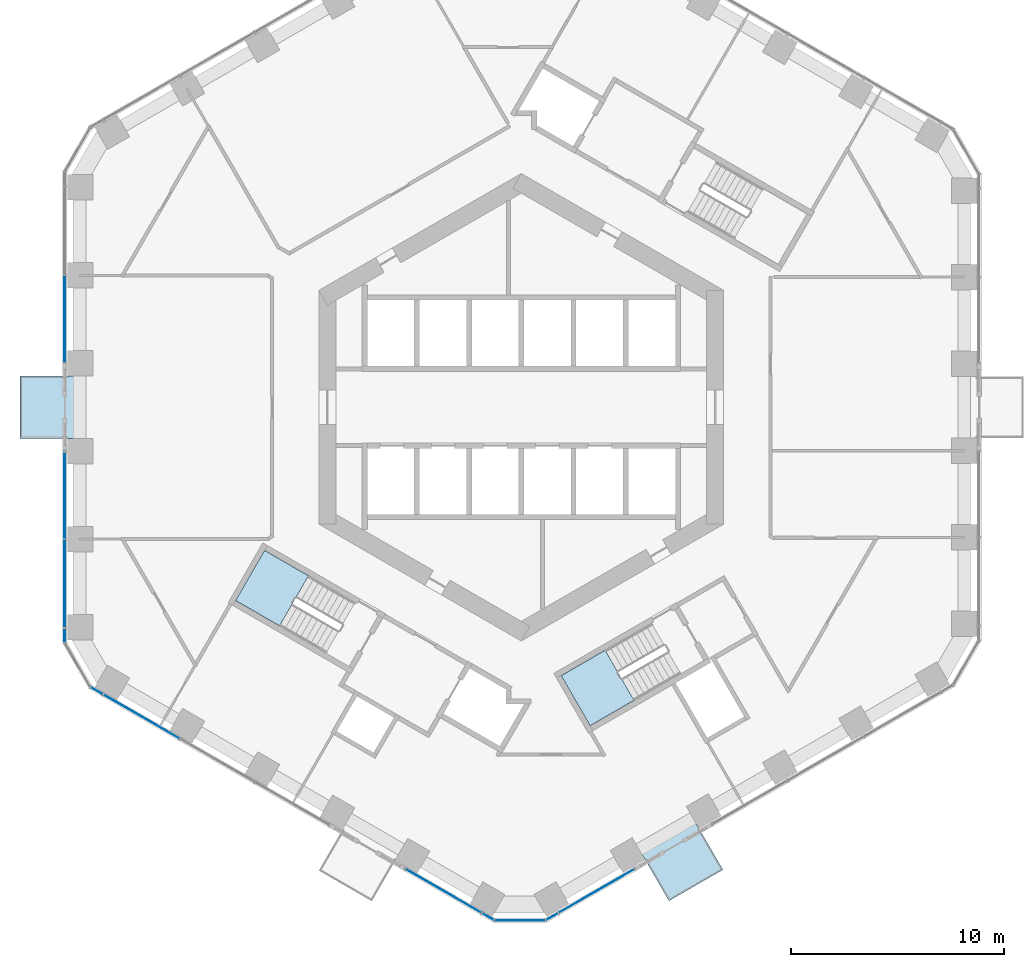
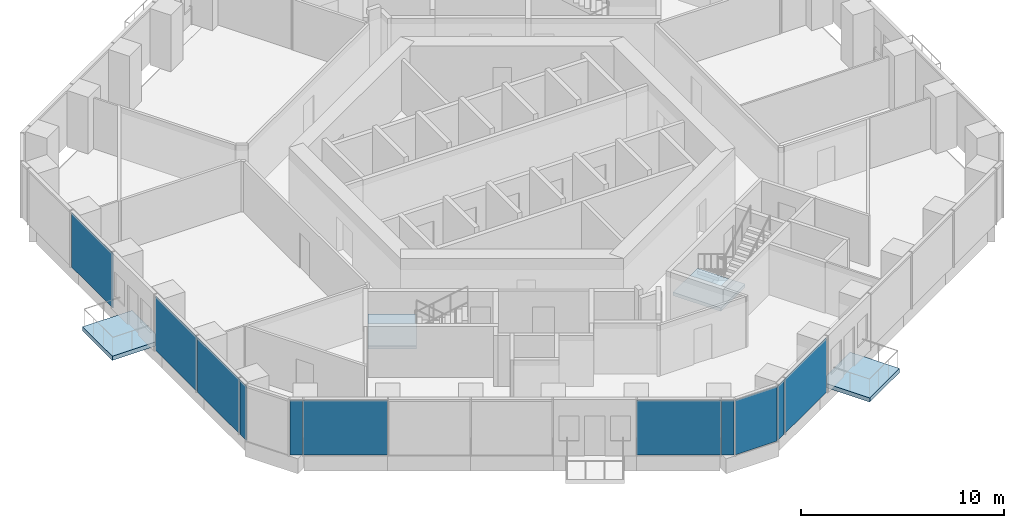
# One storey, part 9 of 20: 11 plates, 4 slabs, 9 elements without a shape of their own.
"""IFC4 building model written with IfcOpenShell, lengths in metres."""

from ifc_helpers import new_model, si_unit, direction, frame, origin, origin_2d, place, context, subcontext, project, spatial, polyline, rectangle, outline, extrude, material, layer, layer_set, type_object, element, aggregate, save


model = new_model("IFC4")

# Units and contexts
model_context = context("Model", 3, precision=1e-05, world=origin(), true_north=direction((0.0, 1.0)))
body_context = subcontext(model_context, "Body", "Model", "MODEL_VIEW")
ifc_project = project(units=[si_unit("LENGTHUNIT", "METRE"), si_unit("AREAUNIT", "SQUARE_METRE"), si_unit("VOLUMEUNIT", "CUBIC_METRE"), si_unit("PLANEANGLEUNIT", "RADIAN"), si_unit("MASSUNIT", "GRAM", prefix="KILO")], contexts=[model_context])

# Site, building, storey
site_placement = place(None, origin())
site = spatial("IfcSite", under=ifc_project, at=site_placement, CompositionType="ELEMENT")
building_placement = place(site_placement, origin())
building = spatial("IfcBuilding", under=site, at=building_placement, Name="Ayvan Gate Tower", CompositionType="ELEMENT")
storey_placement = place(building_placement, frame((0.0, 0.0, 28.89990234375)))
storey = spatial("IfcBuildingStorey", under=building, at=storey_placement, Name="L06", CompositionType="ELEMENT", Elevation=28.89990234375)

# Slabs
ifc_material_1 = material(Name="Concrete C40/50", Category="concrete")
ifc_layer_1 = layer(ifc_material_1, 0.25)
ifc_layer_set_1 = layer_set([ifc_layer_1], Name="Concrete C40/50")
slab_type_1 = type_object("IfcSlabType", Name="Balcony slab 250", PredefinedType="FLOOR", material=ifc_layer_set_1)
slab_1_placement = place(storey_placement, frame((0.0, 0.0, -0.25)))
element("IfcSlab", 1, at=slab_1_placement, inside=storey, type_object=slab_type_1, Name="Balcony slab BAL-L06-3", PredefinedType="FLOOR", context=body_context, shape_type="SweptSolid", body=[
    extrude(outline(polyline([(-20.725341796875, 1.46044921875), (-20.725341796875, -1.46044921875), (-23.525390625, -1.46044921875), (-23.525390625, 1.46044921875), (-20.725341796875, 1.46044921875)])), origin(), (0.0, 0.0, 1.0), 0.25),
])
slab_2_placement = place(storey_placement, frame((0.0, 0.0, -0.25)))
element("IfcSlab", 2, at=slab_2_placement, inside=storey, type_object=slab_type_1, Name="Balcony slab BAL-L06-5", PredefinedType="FLOOR", context=body_context, shape_type="SweptSolid", body=[
    extrude(outline(polyline([(5.529052734375, -20.7392578125), (8.05859375, -19.27880859375), (9.45849609375, -21.70361328125), (6.92919921875, -23.1640625), (5.529052734375, -20.7392578125)])), origin(), (0.0, 0.0, 1.0), 0.25),
])

# Stair, slab
stair_type = type_object("IfcStairType", Name="ST-EXIT", PredefinedType="HALF_TURN_STAIR", material=ifc_material_1)
stair_1_placement = place(storey_placement, origin())
stair_1 = element("IfcStair", 3, at=stair_1_placement, inside=storey, type_object=stair_type, Name="L06 Exit Stair S2", PredefinedType="HALF_TURN_STAIR")
ifc_layer_2 = layer(ifc_material_1, 0.199951171875)
ifc_layer_set_2 = layer_set([ifc_layer_2], Name="Concrete C40/50")
slab_type_2 = type_object("IfcSlabType", Name="SL-LANDING-200", PredefinedType="LANDING", material=ifc_layer_set_2)
slab_3_placement = place(storey_placement, frame((0.0, 0.0, 1.5)))
slab_3 = element("IfcSlab", 4, at=slab_3_placement, type_object=slab_type_2, Name="STS2 landing 1", PredefinedType="LANDING", context=body_context, shape_type="SweptSolid", body=[
    extrude(outline(polyline([(-9.988525390625, -7.91064453125), (-12.049560546875, -6.720458984375), (-13.404541015625, -9.0673828125), (-11.343505859375, -10.257568359375), (-9.988525390625, -7.91064453125)])), origin(), (0.0, 0.0, 1.0), 0.2001953125),
])
aggregate(stair_1, [slab_3])

stair_2_placement = place(storey_placement, origin())
stair_2 = element("IfcStair", 5, at=stair_2_placement, inside=storey, type_object=stair_type, Name="L06 Exit Stair S3", PredefinedType="HALF_TURN_STAIR")
slab_4_placement = place(storey_placement, frame((0.0, 0.0, 1.5)))
slab_4 = element("IfcSlab", 6, at=slab_4_placement, type_object=slab_type_2, Name="STS3 landing 1", PredefinedType="LANDING", context=body_context, shape_type="SweptSolid", body=[
    extrude(outline(polyline([(3.93505859375, -11.405517578125), (1.873779296875, -12.595458984375), (3.228759765625, -14.9423828125), (5.2900390625, -13.75244140625), (3.93505859375, -11.405517578125)])), origin(), (0.0, 0.0, 1.0), 0.2001953125),
])
aggregate(stair_2, [slab_4])

# Curtain wall, plate
ifc_material_2 = material(Name="Bronze anodised aluminium", Category="aluminium")
ifc_layer_3 = layer(ifc_material_2, 0.199951171875)
ifc_layer_set_3 = layer_set([ifc_layer_3], Name="Bronze anodised aluminium")
curtain_wall_type_1 = type_object("IfcCurtainWallType", Name="Stick curtain wall CW-1", PredefinedType="NOTDEFINED", material=ifc_layer_set_3)
curtain_wall_1_placement = place(storey_placement, origin())
curtain_wall_1 = element("IfcCurtainWall", 7, at=curtain_wall_1_placement, inside=storey, type_object=curtain_wall_type_1, Name="Stick curtain wall CW-1 L06", PredefinedType="NOTDEFINED")
ifc_material_3 = material(Name="Clear low-iron laminated glass", Category="glass")
ifc_layer_4 = layer(ifc_material_3, 0.028076171875)
ifc_layer_set_4 = layer_set([ifc_layer_4], Name="Clear low-iron laminated glass")
plate_type_1 = type_object("IfcPlateType", Name="Stick curtain wall CW-1 glass panel", PredefinedType="CURTAIN_PANEL", material=ifc_layer_set_4)
plate_1_placement = place(storey_placement, frame((-21.42529296875, 4.12744140625, 0.0), z_axis=(0.0, 0.0, 1.0), x_axis=(0.0, -1.0, 0.0)))
plate_1 = element("IfcPlate", 8, at=plate_1_placement, type_object=plate_type_1, Name="CW-1 glass panel 2", PredefinedType="CURTAIN_PANEL", context=body_context, shape_type="SweptSolid", body=[
    extrude(rectangle(XDim=4.068115234375, YDim=0.028076171875, at=origin_2d()), origin(), (0.0, 0.0, 1.0), 3.280029296875),
])
aggregate(curtain_wall_1, [plate_1])

# Curtain wall, plates
curtain_wall_2_placement = place(storey_placement, origin())
curtain_wall_2 = element("IfcCurtainWall", 9, at=curtain_wall_2_placement, inside=storey, type_object=curtain_wall_type_1, Name="Stick curtain wall CW-1 L06", PredefinedType="NOTDEFINED")
plate_2_placement = place(storey_placement, frame((-21.42529296875, -4.127685546875, 0.0), z_axis=(0.0, 0.0, 1.0), x_axis=(0.0, -1.0, 0.0)))
plate_2 = element("IfcPlate", 10, at=plate_2_placement, type_object=plate_type_1, Name="CW-1 glass panel 1", PredefinedType="CURTAIN_PANEL", context=body_context, shape_type="SweptSolid", body=[
    extrude(rectangle(XDim=4.068115234375, YDim=0.028076171875, at=origin_2d()), origin(), (0.0, 0.0, 1.0), 3.280029296875),
])
plate_3_placement = place(storey_placement, frame((-21.42529296875, -8.29296875, 0.0), z_axis=(0.0, 0.0, 1.0), x_axis=(0.0, -1.0, 0.0)))
plate_3 = element("IfcPlate", 11, at=plate_3_placement, type_object=plate_type_1, Name="CW-1 glass panel 2", PredefinedType="CURTAIN_PANEL", context=body_context, shape_type="SweptSolid", body=[
    extrude(rectangle(XDim=4.142822265625, YDim=0.028076171875, at=origin_2d()), origin(), (0.0, 0.0, 1.0), 3.280029296875),
])
aggregate(curtain_wall_2, [plate_2, plate_3])

# Curtain wall, plate
curtain_wall_3_placement = place(storey_placement, origin())
curtain_wall_3 = element("IfcCurtainWall", 12, at=curtain_wall_3_placement, inside=storey, type_object=curtain_wall_type_1, Name="Stick curtain wall CW-1 L06", PredefinedType="NOTDEFINED")
plate_4_placement = place(storey_placement, frame((-17.83984375, -14.508544921875, 0.0), z_axis=(0.0, 0.0, 1.0), x_axis=(0.866025403784, -0.5, 0.0)))
plate_4 = element("IfcPlate", 13, at=plate_4_placement, type_object=plate_type_1, Name="CW-1 glass panel 1", PredefinedType="CURTAIN_PANEL", context=body_context, shape_type="SweptSolid", body=[
    extrude(rectangle(XDim=4.132080078125, YDim=0.028076171875, at=origin_2d()), origin(), (0.0, 0.0, 1.0), 3.280029296875),
])
aggregate(curtain_wall_3, [plate_4])

curtain_wall_4_placement = place(storey_placement, origin())
curtain_wall_4 = element("IfcCurtainWall", 14, at=curtain_wall_4_placement, inside=storey, type_object=curtain_wall_type_1, Name="Stick curtain wall CW-1 L06", PredefinedType="NOTDEFINED")
plate_5_placement = place(storey_placement, frame((-3.644775390625, -22.703857421875, 0.0), z_axis=(0.0, 0.0, 1.0), x_axis=(0.866025403784, -0.5, 0.0)))
plate_5 = element("IfcPlate", 15, at=plate_5_placement, type_object=plate_type_1, Name="CW-1 glass panel 1", PredefinedType="CURTAIN_PANEL", context=body_context, shape_type="SweptSolid", body=[
    extrude(rectangle(XDim=4.132080078125, YDim=0.028076171875, at=origin_2d()), origin(), (0.0, 0.0, 1.0), 3.280029296875),
])
aggregate(curtain_wall_4, [plate_5])

curtain_wall_5_placement = place(storey_placement, origin())
curtain_wall_5 = element("IfcCurtainWall", 16, at=curtain_wall_5_placement, inside=storey, type_object=curtain_wall_type_1, Name="Stick curtain wall CW-1 L06", PredefinedType="NOTDEFINED")
plate_6_placement = place(storey_placement, frame((3.53076171875, -22.701171875, 0.0), z_axis=(0.0, 0.0, 1.0), x_axis=(0.866025403784, 0.5, 0.0)))
plate_6 = element("IfcPlate", 17, at=plate_6_placement, type_object=plate_type_1, Name="CW-1 glass panel 1", PredefinedType="CURTAIN_PANEL", context=body_context, shape_type="SweptSolid", body=[
    extrude(rectangle(XDim=4.14306640625, YDim=0.028076171875, at=origin_2d()), origin(), (0.0, 0.0, 1.0), 3.280029296875),
])
aggregate(curtain_wall_5, [plate_6])

# Curtain wall, plates
ifc_layer_5 = layer(ifc_material_2, 0.199951171875)
ifc_layer_set_5 = layer_set([ifc_layer_5], Name="Bronze anodised aluminium")
curtain_wall_type_2 = type_object("IfcCurtainWallType", Name="Stick curtain wall CW-6", PredefinedType="NOTDEFINED", material=ifc_layer_set_5)
curtain_wall_6_placement = place(storey_placement, origin())
curtain_wall_6 = element("IfcCurtainWall", 18, at=curtain_wall_6_placement, inside=storey, type_object=curtain_wall_type_2, Name="Stick curtain wall CW-6 L06", PredefinedType="NOTDEFINED")
ifc_layer_6 = layer(ifc_material_3, 0.028076171875)
ifc_layer_set_6 = layer_set([ifc_layer_6], Name="Clear low-iron laminated glass")
plate_type_2 = type_object("IfcPlateType", Name="Stick curtain wall CW-6 glass panel", PredefinedType="CURTAIN_PANEL", material=ifc_layer_set_6)
plate_7_placement = place(storey_placement, frame((-21.42529296875, -10.706787109375, 0.0), z_axis=(0.0, 0.0, 1.0), x_axis=(0.0, -1.0, 0.0)))
plate_7 = element("IfcPlate", 19, at=plate_7_placement, type_object=plate_type_2, Name="CW-6 glass panel 1", PredefinedType="CURTAIN_PANEL", context=body_context, shape_type="SweptSolid", body=[
    extrude(rectangle(XDim=0.625, YDim=0.028076171875, at=origin_2d()), origin(), (0.0, 0.0, 1.0), 3.280029296875),
])
plate_8_placement = place(storey_placement, frame((-19.92578125, -13.30419921875, 0.0), z_axis=(0.0, 0.0, 1.0), x_axis=(0.866025403784, -0.5, 0.0)))
plate_8 = element("IfcPlate", 20, at=plate_8_placement, type_object=plate_type_2, Name="CW-6 glass panel 3", PredefinedType="CURTAIN_PANEL", context=body_context, shape_type="SweptSolid", body=[
    extrude(rectangle(XDim=0.625, YDim=0.028076171875, at=origin_2d()), origin(), (0.0, 0.0, 1.0), 3.280029296875),
])
aggregate(curtain_wall_6, [plate_7, plate_8])

curtain_wall_7_placement = place(storey_placement, origin())
curtain_wall_7 = element("IfcCurtainWall", 21, at=curtain_wall_7_placement, inside=storey, type_object=curtain_wall_type_2, Name="Stick curtain wall CW-6 L06", PredefinedType="NOTDEFINED")
plate_9_placement = place(storey_placement, frame((-1.558837890625, -23.908203125, 0.0), z_axis=(0.0, 0.0, 1.0), x_axis=(0.866025403784, -0.5, 0.0)))
plate_9 = element("IfcPlate", 22, at=plate_9_placement, type_object=plate_type_2, Name="CW-6 glass panel 1", PredefinedType="CURTAIN_PANEL", context=body_context, shape_type="SweptSolid", body=[
    extrude(rectangle(XDim=0.625, YDim=0.028076171875, at=origin_2d()), origin(), (0.0, 0.0, 1.0), 3.280029296875),
])
plate_10_placement = place(storey_placement, frame((-0.059326171875, -24.076904296875, 0.0), z_axis=(0.0, 0.0, 1.0), x_axis=(1.0, 0.0, 0.0)))
plate_10 = element("IfcPlate", 23, at=plate_10_placement, type_object=plate_type_2, Name="CW-6 glass panel 2", PredefinedType="CURTAIN_PANEL", context=body_context, shape_type="SweptSolid", body=[
    extrude(rectangle(XDim=2.364501953125, YDim=0.028076171875, at=origin_2d()), origin(), (0.0, 0.0, 1.0), 3.280029296875),
])
plate_11_placement = place(storey_placement, frame((1.440185546875, -23.908203125, 0.0), z_axis=(0.0, 0.0, 1.0), x_axis=(0.866025403784, 0.5, 0.0)))
plate_11 = element("IfcPlate", 24, at=plate_11_placement, type_object=plate_type_2, Name="CW-6 glass panel 3", PredefinedType="CURTAIN_PANEL", context=body_context, shape_type="SweptSolid", body=[
    extrude(rectangle(XDim=0.625, YDim=0.028076171875, at=origin_2d()), origin(), (0.0, 0.0, 1.0), 3.280029296875),
])
aggregate(curtain_wall_7, [plate_9, plate_10, plate_11])

save(model, "model.ifc")
